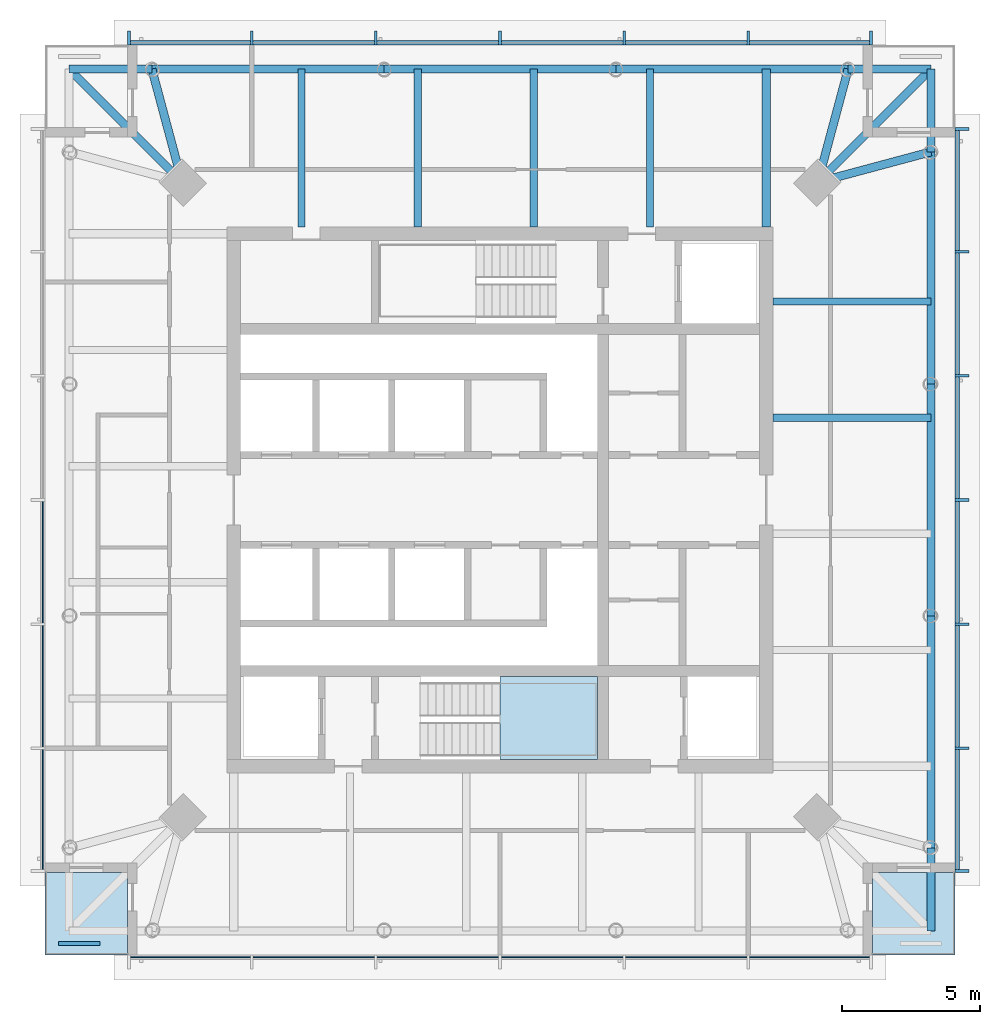
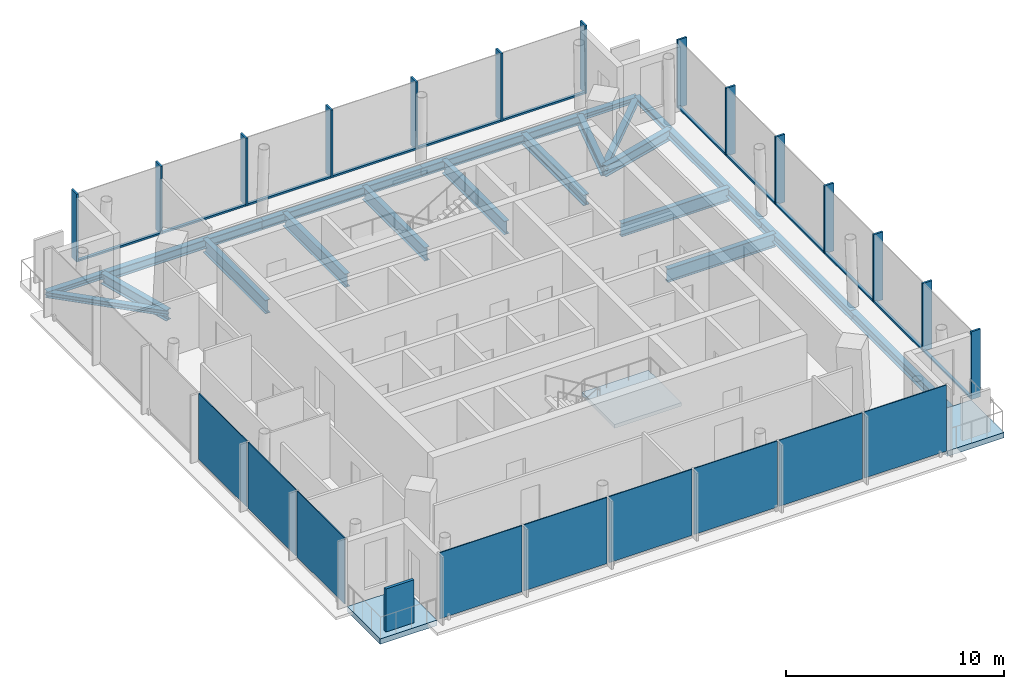
# One storey, part 2 of 8: 26 members, 22 beams, 10 plates, 3 slabs, 5 elements without a shape of their own.
"""IFC4 building model written with IfcOpenShell, lengths in metres."""

from ifc_helpers import new_model, si_unit, direction, frame, origin, origin_2d, place, context, subcontext, project, spatial, polyline, rectangle, i_section, outline, extrude, material, layer, layer_set, material_profile, profile_set, type_object, element, aggregate, save


model = new_model("IFC4")

# Units and contexts
model_context = context("Model", 3, precision=1e-05, world=origin(), true_north=direction((0.0, 1.0)))
body_context = subcontext(model_context, "Body", "Model", "MODEL_VIEW")
ifc_project = project(units=[si_unit("LENGTHUNIT", "METRE"), si_unit("AREAUNIT", "SQUARE_METRE"), si_unit("VOLUMEUNIT", "CUBIC_METRE"), si_unit("PLANEANGLEUNIT", "RADIAN"), si_unit("MASSUNIT", "GRAM", prefix="KILO")], contexts=[model_context])

# Site, building, storey
site_placement = place(None, origin())
site = spatial("IfcSite", under=ifc_project, at=site_placement, CompositionType="ELEMENT")
building_placement = place(site_placement, origin())
building = spatial("IfcBuilding", under=site, at=building_placement, Name="Ostroluk Exchange", CompositionType="ELEMENT")
storey_placement = place(building_placement, frame((0.0, 0.0, 283.199951171875)))
storey = spatial("IfcBuildingStorey", under=building, at=storey_placement, Name="L73", CompositionType="ELEMENT", Elevation=283.199951171875)

# Beams
ifc_material_1 = material(Name="Steel S355", Category="steel")
ifc_material_profile_1 = material_profile(ifc_material_1, i_section(OverallWidth=0.300048828125, OverallDepth=0.300048828125, WebThickness=0.010986328125, FlangeThickness=0.01904296875, FilletRadius=0.027099609375, at=origin_2d()), Name="HEB 300")
ifc_profile_set_1 = profile_set([ifc_material_profile_1], Name="Steel S355")
beam_type_1 = type_object("IfcBeamType", Name="Balcony beam HEB 300", PredefinedType="BEAM", material=ifc_profile_set_1)
for number, where, z_axis, x_axis, name in (
    (1, (60.621337890625, 58.621337890625, -0.449951171875), (0.0, 1.0, 0.0), (-1.0, 0.0, 0.0), "T1 east balcony beam a"),
    (2, (57.621337890625, 61.621337890625, -0.449951171875), (1.0, 0.0, 0.0), (0.0, 1.0, 0.0), "T1 east balcony beam b"),
):
    element("IfcBeam", number, at=place(storey_placement, frame(where, z_axis=z_axis, x_axis=x_axis)), inside=storey, type_object=beam_type_1, Name=name, PredefinedType="BEAM", context=body_context, shape_type="SweptSolid", body=[
        extrude(i_section(OverallWidth=0.300048828125, OverallDepth=0.300048828125, WebThickness=0.010986328125, FlangeThickness=0.01904296875, FilletRadius=0.027099609375, at=origin_2d()), origin(), (0.0, 0.0, 1.0), 3.0),
    ])
beam_1_placement = place(storey_placement, frame((56.521484375, 57.521484375, -0.449951171875), z_axis=(0.707106781187, 0.707106781187, 0.0), x_axis=(-0.707106781187, 0.707106781187, 0.0)))
element("IfcBeam", 3, at=beam_1_placement, inside=storey, type_object=beam_type_1, Name="T1 east balcony beam c", PredefinedType="BEAM", context=body_context, shape_type="SweptSolid", body=[
    extrude(i_section(OverallWidth=0.300048828125, OverallDepth=0.300048828125, WebThickness=0.010986328125, FlangeThickness=0.01904296875, FilletRadius=0.027099609375, at=origin_2d()), origin(), (0.0, 0.0, 1.0), 5.798095703125),
])
beam_2_placement = place(storey_placement, frame((32.378662109375, 61.621337890625, -0.449951171875), z_axis=(-1.0, 0.0, 0.0), x_axis=(0.0, -1.0, 0.0)))
element("IfcBeam", 4, at=beam_2_placement, inside=storey, type_object=beam_type_1, Name="T1 north balcony beam a", PredefinedType="BEAM", context=body_context, shape_type="SweptSolid", body=[
    extrude(i_section(OverallWidth=0.300048828125, OverallDepth=0.300048828125, WebThickness=0.010986328125, FlangeThickness=0.01904296875, FilletRadius=0.027099609375, at=origin_2d()), origin(), (0.0, 0.0, 1.0), 3.0),
])
beam_3_placement = place(storey_placement, frame((33.478515625, 57.521484375, -0.449951171875), z_axis=(-0.707106781187, 0.707106781187, 0.0), x_axis=(-0.707106781187, -0.707106781187, 0.0)))
element("IfcBeam", 5, at=beam_3_placement, inside=storey, type_object=beam_type_1, Name="T1 north balcony beam c", PredefinedType="BEAM", context=body_context, shape_type="SweptSolid", body=[
    extrude(i_section(OverallWidth=0.300048828125, OverallDepth=0.300048828125, WebThickness=0.010986328125, FlangeThickness=0.01904296875, FilletRadius=0.027099609375, at=origin_2d()), origin(), (0.0, 0.0, 1.0), 5.798095703125),
])
beam_4_placement = place(storey_placement, frame((60.621337890625, 33.378662109375, -0.449951171875), z_axis=(0.0, -1.0, 0.0), x_axis=(1.0, 0.0, 0.0)))
element("IfcBeam", 6, at=beam_4_placement, inside=storey, type_object=beam_type_1, Name="T1 south balcony beam b", PredefinedType="BEAM", context=body_context, shape_type="SweptSolid", body=[
    extrude(i_section(OverallWidth=0.300048828125, OverallDepth=0.300048828125, WebThickness=0.010986328125, FlangeThickness=0.01904296875, FilletRadius=0.027099609375, at=origin_2d()), origin(), (0.0, 0.0, 1.0), 3.0),
])
ifc_material_2 = material(Name="Steel S355", Category="steel")
ifc_material_profile_2 = material_profile(ifc_material_2, i_section(OverallWidth=0.300048828125, OverallDepth=0.60009765625, WebThickness=0.015380859375, FlangeThickness=0.030029296875, FilletRadius=0.027099609375, at=origin_2d()), Name="HEB 600")
ifc_profile_set_2 = profile_set([ifc_material_profile_2], Name="Steel S355")
beam_type_2 = type_object("IfcBeamType", Name="Corner edge beam HEB 600", PredefinedType="SPANDREL", material=ifc_profile_set_2)
for number, where, z_axis, x_axis, name in (
    (7, (56.521484375, 57.521484375, -0.599853515625), (0.965849156574, 0.259105011038, 0.0), (-0.259105011038, 0.965849156574, 0.0), "T1 east corner edge beam a"),
    (8, (56.521484375, 57.521484375, -0.599853515625), (0.259105011038, 0.965849156574, 0.0), (-0.965849156574, 0.259105011038, 0.0), "T1 east corner edge beam b"),
    (9, (33.478515625, 57.521484375, -0.599853515625), (-0.259105011038, 0.965849156574, 0.0), (-0.965849156574, -0.259105011038, 0.0), "T1 north corner edge beam a"),
):
    element("IfcBeam", number, at=place(storey_placement, frame(where, z_axis=z_axis, x_axis=x_axis)), inside=storey, type_object=beam_type_2, Name=name, PredefinedType="SPANDREL", context=body_context, shape_type="SweptSolid", body=[
        extrude(i_section(OverallWidth=0.300048828125, OverallDepth=0.60009765625, WebThickness=0.015380859375, FlangeThickness=0.030029296875, FilletRadius=0.027099609375, at=origin_2d()), origin(), (0.0, 0.0, 1.0), 4.244873046875),
    ])
ifc_material_3 = material(Name="Steel S355", Category="steel")
ifc_material_profile_3 = material_profile(ifc_material_3, i_section(OverallWidth=0.264892578125, OverallDepth=0.7529296875, WebThickness=0.01318359375, FlangeThickness=0.01708984375, FilletRadius=0.01708984375, at=origin_2d()), Name="IPE 750x147")
ifc_profile_set_3 = profile_set([ifc_material_profile_3], Name="Steel S355")
beam_type_3 = type_object("IfcBeamType", Name="Floor beam IPE 750x147", PredefinedType="BEAM", material=ifc_profile_set_3)
for number, where, z_axis, x_axis, name in (
    (10, (54.89990234375, 48.985595703125, -0.676513671875), (1.0, 0.0, 0.0), (0.0, 1.0, 0.0), "T1 east floor beam 3"),
    (11, (54.89990234375, 53.197509765625, -0.676513671875), (1.0, 0.0, 0.0), (0.0, 1.0, 0.0), "T1 east floor beam 4"),
    (12, (50.43798828125, 55.89990234375, -0.676513671875), (0.0, 1.0, 0.0), (-1.0, 0.0, 0.0), "T1 north floor beam 1"),
    (13, (46.22607421875, 55.89990234375, -0.676513671875), (0.0, 1.0, 0.0), (-1.0, 0.0, 0.0), "T1 north floor beam 2"),
    (14, (42.014404296875, 55.89990234375, -0.676513671875), (0.0, 1.0, 0.0), (-1.0, 0.0, 0.0), "T1 north floor beam 3"),
    (15, (37.802490234375, 55.89990234375, -0.676513671875), (0.0, 1.0, 0.0), (-1.0, 0.0, 0.0), "T1 north floor beam 4"),
):
    element("IfcBeam", number, at=place(storey_placement, frame(where, z_axis=z_axis, x_axis=x_axis)), inside=storey, type_object=beam_type_3, Name=name, PredefinedType="BEAM", context=body_context, shape_type="SweptSolid", body=[
        extrude(i_section(OverallWidth=0.264892578125, OverallDepth=0.7529296875, WebThickness=0.01318359375, FlangeThickness=0.01708984375, FilletRadius=0.01708984375, at=origin_2d()), origin(), (0.0, 0.0, 1.0), 5.721435546875),
    ])
ifc_material_4 = material(Name="Steel S355", Category="steel")
ifc_material_profile_4 = material_profile(ifc_material_4, i_section(OverallWidth=0.300048828125, OverallDepth=0.60009765625, WebThickness=0.015380859375, FlangeThickness=0.030029296875, FilletRadius=0.027099609375, at=origin_2d()), Name="HEB 600")
ifc_profile_set_4 = profile_set([ifc_material_profile_4], Name="Steel S355")
beam_type_4 = type_object("IfcBeamType", Name="Girder HEB 600", PredefinedType="BEAM", material=ifc_profile_set_4)
beam_5_placement = place(storey_placement, frame((54.64990234375, 55.89990234375, -0.599853515625), z_axis=(0.0, 1.0, 0.0), x_axis=(-1.0, 0.0, 0.0)))
element("IfcBeam", 16, at=beam_5_placement, inside=storey, type_object=beam_type_4, Name="T1 east girder", PredefinedType="BEAM", context=body_context, shape_type="SweptSolid", body=[
    extrude(i_section(OverallWidth=0.300048828125, OverallDepth=0.60009765625, WebThickness=0.015380859375, FlangeThickness=0.030029296875, FilletRadius=0.027099609375, at=origin_2d()), origin(), (0.0, 0.0, 1.0), 5.721435546875),
])
ifc_material_5 = material(Name="Steel S355", Category="steel")
ifc_material_profile_5 = material_profile(ifc_material_5, i_section(OverallWidth=0.300048828125, OverallDepth=0.5, WebThickness=0.014404296875, FlangeThickness=0.028076171875, FilletRadius=0.027099609375, at=origin_2d()), Name="HEB 500")
ifc_profile_set_5 = profile_set([ifc_material_profile_5], Name="Steel S355")
beam_type_5 = type_object("IfcBeamType", Name="Moment-connected edge beam HEB 500", PredefinedType="SPANDREL", material=ifc_profile_set_5)
beam_6_placement = place(storey_placement, frame((60.621337890625, 33.378662109375, -0.550048828125), z_axis=(0.0, 1.0, 0.0), x_axis=(-1.0, 0.0, 0.0)))
element("IfcBeam", 17, at=beam_6_placement, inside=storey, type_object=beam_type_5, Name="T1 east edge beam 1", PredefinedType="SPANDREL", context=body_context, shape_type="SweptSolid", body=[
    extrude(i_section(OverallWidth=0.300048828125, OverallDepth=0.5, WebThickness=0.014404296875, FlangeThickness=0.028076171875, FilletRadius=0.027099609375, at=origin_2d()), origin(), (0.0, 0.0, 1.0), 8.414306640625),
])
beam_7_placement = place(storey_placement, frame((60.621337890625, 41.79296875, -0.550048828125), z_axis=(0.0, 1.0, 0.0), x_axis=(-1.0, 0.0, 0.0)))
element("IfcBeam", 18, at=beam_7_placement, inside=storey, type_object=beam_type_5, Name="T1 east edge beam 2", PredefinedType="SPANDREL", context=body_context, shape_type="SweptSolid", body=[
    extrude(i_section(OverallWidth=0.300048828125, OverallDepth=0.5, WebThickness=0.014404296875, FlangeThickness=0.028076171875, FilletRadius=0.027099609375, at=origin_2d()), origin(), (0.0, 0.0, 1.0), 8.4140625),
])
for number, where, z_axis, x_axis, name in (
    (19, (60.621337890625, 50.20703125, -0.550048828125), (0.0, 1.0, 0.0), (-1.0, 0.0, 0.0), "T1 east edge beam 3"),
    (20, (57.621337890625, 61.621337890625, -0.550048828125), (-1.0, 0.0, 0.0), (0.0, -1.0, 0.0), "T1 north edge beam 1"),
):
    element("IfcBeam", number, at=place(storey_placement, frame(where, z_axis=z_axis, x_axis=x_axis)), inside=storey, type_object=beam_type_5, Name=name, PredefinedType="SPANDREL", context=body_context, shape_type="SweptSolid", body=[
        extrude(i_section(OverallWidth=0.300048828125, OverallDepth=0.5, WebThickness=0.014404296875, FlangeThickness=0.028076171875, FilletRadius=0.027099609375, at=origin_2d()), origin(), (0.0, 0.0, 1.0), 8.414306640625),
    ])
beam_8_placement = place(storey_placement, frame((49.20703125, 61.621337890625, -0.550048828125), z_axis=(-1.0, 0.0, 0.0), x_axis=(0.0, -1.0, 0.0)))
element("IfcBeam", 21, at=beam_8_placement, inside=storey, type_object=beam_type_5, Name="T1 north edge beam 2", PredefinedType="SPANDREL", context=body_context, shape_type="SweptSolid", body=[
    extrude(i_section(OverallWidth=0.300048828125, OverallDepth=0.5, WebThickness=0.014404296875, FlangeThickness=0.028076171875, FilletRadius=0.027099609375, at=origin_2d()), origin(), (0.0, 0.0, 1.0), 8.4140625),
])
beam_9_placement = place(storey_placement, frame((40.79296875, 61.621337890625, -0.550048828125), z_axis=(-1.0, 0.0, 0.0), x_axis=(0.0, -1.0, 0.0)))
element("IfcBeam", 22, at=beam_9_placement, inside=storey, type_object=beam_type_5, Name="T1 north edge beam 3", PredefinedType="SPANDREL", context=body_context, shape_type="SweptSolid", body=[
    extrude(i_section(OverallWidth=0.300048828125, OverallDepth=0.5, WebThickness=0.014404296875, FlangeThickness=0.028076171875, FilletRadius=0.027099609375, at=origin_2d()), origin(), (0.0, 0.0, 1.0), 8.414306640625),
])

# Curtain wall, members
ifc_material_6 = material(Name="Laminated clear glass", Category="glass")
curtain_wall_type = type_object("IfcCurtainWallType", Name="Sky garden and observation glazing", PredefinedType="USERDEFINED", material=ifc_material_6)
curtain_wall_1_placement = place(storey_placement, origin())
curtain_wall_1 = element("IfcCurtainWall", 23, at=curtain_wall_1_placement, inside=storey, type_object=curtain_wall_type, Name="Office tower east facade L73", ObjectType="STRUCTURAL GLAZING", PredefinedType="USERDEFINED")
ifc_material_7 = material(Name="Aluminium mullion", Category="aluminium")
ifc_material_profile_6 = material_profile(ifc_material_7, rectangle(XDim=0.14990234375, YDim=0.10009765625, at=origin_2d()), Name="Sill transom 100 x 150")
ifc_profile_set_6 = profile_set([ifc_material_profile_6], Name="Aluminium mullion")
member_type_1 = type_object("IfcMemberType", Name="Sill transom 100 x 150", PredefinedType="USERDEFINED", material=ifc_profile_set_6)
member_1_placement = place(storey_placement, frame((61.574951171875, 32.60009765625, 0.050048828125), z_axis=(0.0, 1.0, 0.0), x_axis=(-1.0, 0.0, 0.0)))
member_1 = element("IfcMember", 24, at=member_1_placement, type_object=member_type_1, Name="CW-S1 transom 1.1", ObjectType="TRANSOM", PredefinedType="USERDEFINED", context=body_context, shape_type="SweptSolid", body=[
    extrude(rectangle(XDim=0.14990234375, YDim=0.10009765625, at=origin_2d()), origin(), (0.0, 0.0, 1.0), 4.349853515625),
])
member_2_placement = place(storey_placement, frame((61.574951171875, 37.050048828125, 0.050048828125), z_axis=(0.0, 1.0, 0.0), x_axis=(-1.0, 0.0, 0.0)))
member_2 = element("IfcMember", 25, at=member_2_placement, type_object=member_type_1, Name="CW-S1 transom 2.1", ObjectType="TRANSOM", PredefinedType="USERDEFINED", context=body_context, shape_type="SweptSolid", body=[
    extrude(rectangle(XDim=0.14990234375, YDim=0.10009765625, at=origin_2d()), origin(), (0.0, 0.0, 1.0), 4.39990234375),
])
member_3_placement = place(storey_placement, frame((61.574951171875, 41.550048828125, 0.050048828125), z_axis=(0.0, 1.0, 0.0), x_axis=(-1.0, 0.0, 0.0)))
member_3 = element("IfcMember", 26, at=member_3_placement, type_object=member_type_1, Name="CW-S1 transom 3.1", ObjectType="TRANSOM", PredefinedType="USERDEFINED", context=body_context, shape_type="SweptSolid", body=[
    extrude(rectangle(XDim=0.14990234375, YDim=0.10009765625, at=origin_2d()), origin(), (0.0, 0.0, 1.0), 4.39990234375),
])
member_4_placement = place(storey_placement, frame((61.574951171875, 46.050048828125, 0.050048828125), z_axis=(0.0, 1.0, 0.0), x_axis=(-1.0, 0.0, 0.0)))
member_4 = element("IfcMember", 27, at=member_4_placement, type_object=member_type_1, Name="CW-S1 transom 4.1", ObjectType="TRANSOM", PredefinedType="USERDEFINED", context=body_context, shape_type="SweptSolid", body=[
    extrude(rectangle(XDim=0.14990234375, YDim=0.10009765625, at=origin_2d()), origin(), (0.0, 0.0, 1.0), 4.39990234375),
])
member_5_placement = place(storey_placement, frame((61.574951171875, 50.550048828125, 0.050048828125), z_axis=(0.0, 1.0, 0.0), x_axis=(-1.0, 0.0, 0.0)))
member_5 = element("IfcMember", 28, at=member_5_placement, type_object=member_type_1, Name="CW-S1 transom 5.1", ObjectType="TRANSOM", PredefinedType="USERDEFINED", context=body_context, shape_type="SweptSolid", body=[
    extrude(rectangle(XDim=0.14990234375, YDim=0.10009765625, at=origin_2d()), origin(), (0.0, 0.0, 1.0), 4.39990234375),
])
member_6_placement = place(storey_placement, frame((61.574951171875, 55.050048828125, 0.050048828125), z_axis=(0.0, 1.0, 0.0), x_axis=(-1.0, 0.0, 0.0)))
member_6 = element("IfcMember", 29, at=member_6_placement, type_object=member_type_1, Name="CW-S1 transom 6.1", ObjectType="TRANSOM", PredefinedType="USERDEFINED", context=body_context, shape_type="SweptSolid", body=[
    extrude(rectangle(XDim=0.14990234375, YDim=0.10009765625, at=origin_2d()), origin(), (0.0, 0.0, 1.0), 4.349853515625),
])

curtain_wall_2_placement = place(storey_placement, origin())
curtain_wall_2 = element("IfcCurtainWall", 30, at=curtain_wall_2_placement, inside=storey, type_object=curtain_wall_type, Name="Office tower north facade L73", ObjectType="STRUCTURAL GLAZING", PredefinedType="USERDEFINED")
member_7_placement = place(storey_placement, frame((58.39990234375, 62.574951171875, 0.050048828125), z_axis=(-1.0, 0.0, 0.0), x_axis=(0.0, -1.0, 0.0)))
member_7 = element("IfcMember", 31, at=member_7_placement, type_object=member_type_1, Name="CW-S1 transom 1.1", ObjectType="TRANSOM", PredefinedType="USERDEFINED", context=body_context, shape_type="SweptSolid", body=[
    extrude(rectangle(XDim=0.14990234375, YDim=0.10009765625, at=origin_2d()), origin(), (0.0, 0.0, 1.0), 4.349853515625),
])
member_8_placement = place(storey_placement, frame((53.949951171875, 62.574951171875, 0.050048828125), z_axis=(-1.0, 0.0, 0.0), x_axis=(0.0, -1.0, 0.0)))
member_8 = element("IfcMember", 32, at=member_8_placement, type_object=member_type_1, Name="CW-S1 transom 2.1", ObjectType="TRANSOM", PredefinedType="USERDEFINED", context=body_context, shape_type="SweptSolid", body=[
    extrude(rectangle(XDim=0.14990234375, YDim=0.10009765625, at=origin_2d()), origin(), (0.0, 0.0, 1.0), 4.39990234375),
])
member_9_placement = place(storey_placement, frame((49.449951171875, 62.574951171875, 0.050048828125), z_axis=(-1.0, 0.0, 0.0), x_axis=(0.0, -1.0, 0.0)))
member_9 = element("IfcMember", 33, at=member_9_placement, type_object=member_type_1, Name="CW-S1 transom 3.1", ObjectType="TRANSOM", PredefinedType="USERDEFINED", context=body_context, shape_type="SweptSolid", body=[
    extrude(rectangle(XDim=0.14990234375, YDim=0.10009765625, at=origin_2d()), origin(), (0.0, 0.0, 1.0), 4.39990234375),
])
member_10_placement = place(storey_placement, frame((44.949951171875, 62.574951171875, 0.050048828125), z_axis=(-1.0, 0.0, 0.0), x_axis=(0.0, -1.0, 0.0)))
member_10 = element("IfcMember", 34, at=member_10_placement, type_object=member_type_1, Name="CW-S1 transom 4.1", ObjectType="TRANSOM", PredefinedType="USERDEFINED", context=body_context, shape_type="SweptSolid", body=[
    extrude(rectangle(XDim=0.14990234375, YDim=0.10009765625, at=origin_2d()), origin(), (0.0, 0.0, 1.0), 4.39990234375),
])
member_11_placement = place(storey_placement, frame((40.449951171875, 62.574951171875, 0.050048828125), z_axis=(-1.0, 0.0, 0.0), x_axis=(0.0, -1.0, 0.0)))
member_11 = element("IfcMember", 35, at=member_11_placement, type_object=member_type_1, Name="CW-S1 transom 5.1", ObjectType="TRANSOM", PredefinedType="USERDEFINED", context=body_context, shape_type="SweptSolid", body=[
    extrude(rectangle(XDim=0.14990234375, YDim=0.10009765625, at=origin_2d()), origin(), (0.0, 0.0, 1.0), 4.39990234375),
])
member_12_placement = place(storey_placement, frame((35.949951171875, 62.574951171875, 0.050048828125), z_axis=(-1.0, 0.0, 0.0), x_axis=(0.0, -1.0, 0.0)))
member_12 = element("IfcMember", 36, at=member_12_placement, type_object=member_type_1, Name="CW-S1 transom 6.1", ObjectType="TRANSOM", PredefinedType="USERDEFINED", context=body_context, shape_type="SweptSolid", body=[
    extrude(rectangle(XDim=0.14990234375, YDim=0.10009765625, at=origin_2d()), origin(), (0.0, 0.0, 1.0), 4.349853515625),
])

# Member
ifc_material_8 = material(Name="Aluminium mullion with limestone facing", Category="masonry")
ifc_material_profile_7 = material_profile(ifc_material_8, rectangle(XDim=0.5, YDim=0.10009765625, at=origin_2d()), Name="Tracery mullion 100 x 500")
ifc_profile_set_7 = profile_set([ifc_material_profile_7], Name="Aluminium mullion with limestone facing")
member_type_2 = type_object("IfcMemberType", Name="Tracery mullion 100 x 500", PredefinedType="MULLION", material=ifc_profile_set_7)
member_13_placement = place(storey_placement, frame((61.75, 32.550048828125, 0.0), z_axis=(0.0, 0.0, 1.0), x_axis=(-1.0, 0.0, 0.0)))
member_13 = element("IfcMember", 37, at=member_13_placement, type_object=member_type_2, Name="CW-S1 mullion 1", PredefinedType="MULLION", context=body_context, shape_type="SweptSolid", body=[
    extrude(rectangle(XDim=0.5, YDim=0.10009765625, at=origin_2d()), origin(), (0.0, 0.0, 1.0), 3.800048828125),
])

member_14_placement = place(storey_placement, frame((61.75, 37.0, 0.0), z_axis=(0.0, 0.0, 1.0), x_axis=(-1.0, 0.0, 0.0)))
member_14 = element("IfcMember", 38, at=member_14_placement, type_object=member_type_2, Name="CW-S1 mullion 2", PredefinedType="MULLION", context=body_context, shape_type="SweptSolid", body=[
    extrude(rectangle(XDim=0.5, YDim=0.10009765625, at=origin_2d()), origin(), (0.0, 0.0, 1.0), 3.800048828125),
])

member_15_placement = place(storey_placement, frame((61.75, 41.5, 0.0), z_axis=(0.0, 0.0, 1.0), x_axis=(-1.0, 0.0, 0.0)))
member_15 = element("IfcMember", 39, at=member_15_placement, type_object=member_type_2, Name="CW-S1 mullion 3", PredefinedType="MULLION", context=body_context, shape_type="SweptSolid", body=[
    extrude(rectangle(XDim=0.5, YDim=0.10009765625, at=origin_2d()), origin(), (0.0, 0.0, 1.0), 3.800048828125),
])

member_16_placement = place(storey_placement, frame((61.75, 46.0, 0.0), z_axis=(0.0, 0.0, 1.0), x_axis=(-1.0, 0.0, 0.0)))
member_16 = element("IfcMember", 40, at=member_16_placement, type_object=member_type_2, Name="CW-S1 mullion 4", PredefinedType="MULLION", context=body_context, shape_type="SweptSolid", body=[
    extrude(rectangle(XDim=0.5, YDim=0.10009765625, at=origin_2d()), origin(), (0.0, 0.0, 1.0), 3.800048828125),
])

member_17_placement = place(storey_placement, frame((61.75, 50.5, 0.0), z_axis=(0.0, 0.0, 1.0), x_axis=(-1.0, 0.0, 0.0)))
member_17 = element("IfcMember", 41, at=member_17_placement, type_object=member_type_2, Name="CW-S1 mullion 5", PredefinedType="MULLION", context=body_context, shape_type="SweptSolid", body=[
    extrude(rectangle(XDim=0.5, YDim=0.10009765625, at=origin_2d()), origin(), (0.0, 0.0, 1.0), 3.800048828125),
])

member_18_placement = place(storey_placement, frame((61.75, 55.0, 0.0), z_axis=(0.0, 0.0, 1.0), x_axis=(-1.0, 0.0, 0.0)))
member_18 = element("IfcMember", 42, at=member_18_placement, type_object=member_type_2, Name="CW-S1 mullion 6", PredefinedType="MULLION", context=body_context, shape_type="SweptSolid", body=[
    extrude(rectangle(XDim=0.5, YDim=0.10009765625, at=origin_2d()), origin(), (0.0, 0.0, 1.0), 3.800048828125),
])

member_19_placement = place(storey_placement, frame((61.75, 59.449951171875, 0.0), z_axis=(0.0, 0.0, 1.0), x_axis=(-1.0, 0.0, 0.0)))
member_19 = element("IfcMember", 43, at=member_19_placement, type_object=member_type_2, Name="CW-S1 mullion 7", PredefinedType="MULLION", context=body_context, shape_type="SweptSolid", body=[
    extrude(rectangle(XDim=0.5, YDim=0.10009765625, at=origin_2d()), origin(), (0.0, 0.0, 1.0), 3.800048828125),
])

aggregate(curtain_wall_1, [member_13, member_14, member_15, member_16, member_17, member_18, member_19, member_1, member_2, member_3, member_4, member_5, member_6])

member_20_placement = place(storey_placement, frame((58.449951171875, 62.75, 0.0), z_axis=(0.0, 0.0, 1.0), x_axis=(0.0, -1.0, 0.0)))
member_20 = element("IfcMember", 44, at=member_20_placement, type_object=member_type_2, Name="CW-S1 mullion 1", PredefinedType="MULLION", context=body_context, shape_type="SweptSolid", body=[
    extrude(rectangle(XDim=0.5, YDim=0.10009765625, at=origin_2d()), origin(), (0.0, 0.0, 1.0), 3.800048828125),
])

member_21_placement = place(storey_placement, frame((54.0, 62.75, 0.0), z_axis=(0.0, 0.0, 1.0), x_axis=(0.0, -1.0, 0.0)))
member_21 = element("IfcMember", 45, at=member_21_placement, type_object=member_type_2, Name="CW-S1 mullion 2", PredefinedType="MULLION", context=body_context, shape_type="SweptSolid", body=[
    extrude(rectangle(XDim=0.5, YDim=0.10009765625, at=origin_2d()), origin(), (0.0, 0.0, 1.0), 3.800048828125),
])

member_22_placement = place(storey_placement, frame((49.5, 62.75, 0.0), z_axis=(0.0, 0.0, 1.0), x_axis=(0.0, -1.0, 0.0)))
member_22 = element("IfcMember", 46, at=member_22_placement, type_object=member_type_2, Name="CW-S1 mullion 3", PredefinedType="MULLION", context=body_context, shape_type="SweptSolid", body=[
    extrude(rectangle(XDim=0.5, YDim=0.10009765625, at=origin_2d()), origin(), (0.0, 0.0, 1.0), 3.800048828125),
])

member_23_placement = place(storey_placement, frame((45.0, 62.75, 0.0), z_axis=(0.0, 0.0, 1.0), x_axis=(0.0, -1.0, 0.0)))
member_23 = element("IfcMember", 47, at=member_23_placement, type_object=member_type_2, Name="CW-S1 mullion 4", PredefinedType="MULLION", context=body_context, shape_type="SweptSolid", body=[
    extrude(rectangle(XDim=0.5, YDim=0.10009765625, at=origin_2d()), origin(), (0.0, 0.0, 1.0), 3.800048828125),
])

member_24_placement = place(storey_placement, frame((40.5, 62.75, 0.0), z_axis=(0.0, 0.0, 1.0), x_axis=(0.0, -1.0, 0.0)))
member_24 = element("IfcMember", 48, at=member_24_placement, type_object=member_type_2, Name="CW-S1 mullion 5", PredefinedType="MULLION", context=body_context, shape_type="SweptSolid", body=[
    extrude(rectangle(XDim=0.5, YDim=0.10009765625, at=origin_2d()), origin(), (0.0, 0.0, 1.0), 3.800048828125),
])

member_25_placement = place(storey_placement, frame((36.0, 62.75, 0.0), z_axis=(0.0, 0.0, 1.0), x_axis=(0.0, -1.0, 0.0)))
member_25 = element("IfcMember", 49, at=member_25_placement, type_object=member_type_2, Name="CW-S1 mullion 6", PredefinedType="MULLION", context=body_context, shape_type="SweptSolid", body=[
    extrude(rectangle(XDim=0.5, YDim=0.10009765625, at=origin_2d()), origin(), (0.0, 0.0, 1.0), 3.800048828125),
])

member_26_placement = place(storey_placement, frame((31.550048828125, 62.75, 0.0), z_axis=(0.0, 0.0, 1.0), x_axis=(0.0, -1.0, 0.0)))
member_26 = element("IfcMember", 50, at=member_26_placement, type_object=member_type_2, Name="CW-S1 mullion 7", PredefinedType="MULLION", context=body_context, shape_type="SweptSolid", body=[
    extrude(rectangle(XDim=0.5, YDim=0.10009765625, at=origin_2d()), origin(), (0.0, 0.0, 1.0), 3.800048828125),
])

aggregate(curtain_wall_2, [member_20, member_21, member_22, member_23, member_24, member_25, member_26, member_7, member_8, member_9, member_10, member_11, member_12])

# Slabs
ifc_material_9 = material(Name="Concrete C35/45", Category="concrete")
ifc_layer_1 = layer(ifc_material_9, 0.300048828125)
ifc_layer_set_1 = layer_set([ifc_layer_1], Name="Balcony slab 300")
slab_type_1 = type_object("IfcSlabType", Name="Balcony slab 300", PredefinedType="USERDEFINED", material=ifc_layer_set_1)
slab_1_placement = place(storey_placement, frame((0.0, 0.0, -0.300048828125)))
element("IfcSlab", 51, at=slab_1_placement, inside=storey, type_object=slab_type_1, Name="Office tower SE corner balcony L73", ObjectType="BALCONY", PredefinedType="USERDEFINED", context=body_context, shape_type="SweptSolid", body=[
    extrude(outline(polyline([(58.5, 29.5), (61.5, 29.5), (61.5, 32.5), (58.5, 32.5), (58.5, 29.5)])), origin(), (0.0, 0.0, 1.0), 0.300048828125),
])
slab_2_placement = place(storey_placement, frame((0.0, 0.0, -0.300048828125)))
element("IfcSlab", 52, at=slab_2_placement, inside=storey, type_object=slab_type_1, Name="Office tower SW corner balcony L73", ObjectType="BALCONY", PredefinedType="USERDEFINED", context=body_context, shape_type="SweptSolid", body=[
    extrude(outline(polyline([(28.5, 29.5), (31.5, 29.5), (31.5, 32.5), (28.5, 32.5), (28.5, 29.5)])), origin(), (0.0, 0.0, 1.0), 0.300048828125),
])

# Curtain wall, plates
curtain_wall_3_placement = place(storey_placement, origin())
curtain_wall_3 = element("IfcCurtainWall", 53, at=curtain_wall_3_placement, inside=storey, type_object=curtain_wall_type, Name="Office tower south facade L73", ObjectType="STRUCTURAL GLAZING", PredefinedType="USERDEFINED")
ifc_material_10 = material(Name="Laminated clear glass", Category="glass")
ifc_layer_2 = layer(ifc_material_10, 0.052001953125)
ifc_layer_set_2 = layer_set([ifc_layer_2], Name="Low iron laminated glazing 52")
plate_type_1 = type_object("IfcPlateType", Name="Low iron laminated glazing 52", PredefinedType="CURTAIN_PANEL", material=ifc_layer_set_2)
plate_1_placement = place(storey_placement, frame((33.77490234375, 29.425048828125, 0.10009765625), z_axis=(0.0, 0.0, 1.0), x_axis=(1.0, 0.0, 0.0)))
plate_1 = element("IfcPlate", 54, at=plate_1_placement, type_object=plate_type_1, Name="CW-S1 panel 1.1", PredefinedType="CURTAIN_PANEL", context=body_context, shape_type="SweptSolid", body=[
    extrude(rectangle(XDim=4.35009765625, YDim=0.052001953125, at=origin_2d()), origin(), (0.0, 0.0, 1.0), 3.699951171875),
])
plate_2_placement = place(storey_placement, frame((38.25, 29.425048828125, 0.10009765625), z_axis=(0.0, 0.0, 1.0), x_axis=(1.0, 0.0, 0.0)))
plate_2 = element("IfcPlate", 55, at=plate_2_placement, type_object=plate_type_1, Name="CW-S1 panel 2.1", PredefinedType="CURTAIN_PANEL", context=body_context, shape_type="SweptSolid", body=[
    extrude(rectangle(XDim=4.39990234375, YDim=0.052001953125, at=origin_2d()), origin(), (0.0, 0.0, 1.0), 3.699951171875),
])
plate_3_placement = place(storey_placement, frame((42.75, 29.425048828125, 0.10009765625), z_axis=(0.0, 0.0, 1.0), x_axis=(1.0, 0.0, 0.0)))
plate_3 = element("IfcPlate", 56, at=plate_3_placement, type_object=plate_type_1, Name="CW-S1 panel 3.1", PredefinedType="CURTAIN_PANEL", context=body_context, shape_type="SweptSolid", body=[
    extrude(rectangle(XDim=4.39990234375, YDim=0.052001953125, at=origin_2d()), origin(), (0.0, 0.0, 1.0), 3.699951171875),
])
plate_4_placement = place(storey_placement, frame((47.25, 29.425048828125, 0.10009765625), z_axis=(0.0, 0.0, 1.0), x_axis=(1.0, 0.0, 0.0)))
plate_4 = element("IfcPlate", 57, at=plate_4_placement, type_object=plate_type_1, Name="CW-S1 panel 4.1", PredefinedType="CURTAIN_PANEL", context=body_context, shape_type="SweptSolid", body=[
    extrude(rectangle(XDim=4.39990234375, YDim=0.052001953125, at=origin_2d()), origin(), (0.0, 0.0, 1.0), 3.699951171875),
])
plate_5_placement = place(storey_placement, frame((51.75, 29.425048828125, 0.10009765625), z_axis=(0.0, 0.0, 1.0), x_axis=(1.0, 0.0, 0.0)))
plate_5 = element("IfcPlate", 58, at=plate_5_placement, type_object=plate_type_1, Name="CW-S1 panel 5.1", PredefinedType="CURTAIN_PANEL", context=body_context, shape_type="SweptSolid", body=[
    extrude(rectangle(XDim=4.39990234375, YDim=0.052001953125, at=origin_2d()), origin(), (0.0, 0.0, 1.0), 3.699951171875),
])
plate_6_placement = place(storey_placement, frame((56.22509765625, 29.425048828125, 0.10009765625), z_axis=(0.0, 0.0, 1.0), x_axis=(1.0, 0.0, 0.0)))
plate_6 = element("IfcPlate", 59, at=plate_6_placement, type_object=plate_type_1, Name="CW-S1 panel 6.1", PredefinedType="CURTAIN_PANEL", context=body_context, shape_type="SweptSolid", body=[
    extrude(rectangle(XDim=4.35009765625, YDim=0.052001953125, at=origin_2d()), origin(), (0.0, 0.0, 1.0), 3.699951171875),
])
aggregate(curtain_wall_3, [plate_1, plate_2, plate_3, plate_4, plate_5, plate_6])

curtain_wall_4_placement = place(storey_placement, origin())
curtain_wall_4 = element("IfcCurtainWall", 60, at=curtain_wall_4_placement, inside=storey, type_object=curtain_wall_type, Name="Office tower west facade L73", ObjectType="STRUCTURAL GLAZING", PredefinedType="USERDEFINED")
plate_7_placement = place(storey_placement, frame((28.425048828125, 43.75, 0.10009765625), z_axis=(0.0, 0.0, 1.0), x_axis=(0.0, -1.0, 0.0)))
plate_7 = element("IfcPlate", 61, at=plate_7_placement, type_object=plate_type_1, Name="CW-S1 panel 4.1", PredefinedType="CURTAIN_PANEL", context=body_context, shape_type="SweptSolid", body=[
    extrude(rectangle(XDim=4.39990234375, YDim=0.052001953125, at=origin_2d()), origin(), (0.0, 0.0, 1.0), 3.699951171875),
])
plate_8_placement = place(storey_placement, frame((28.425048828125, 39.25, 0.10009765625), z_axis=(0.0, 0.0, 1.0), x_axis=(0.0, -1.0, 0.0)))
plate_8 = element("IfcPlate", 62, at=plate_8_placement, type_object=plate_type_1, Name="CW-S1 panel 5.1", PredefinedType="CURTAIN_PANEL", context=body_context, shape_type="SweptSolid", body=[
    extrude(rectangle(XDim=4.39990234375, YDim=0.052001953125, at=origin_2d()), origin(), (0.0, 0.0, 1.0), 3.699951171875),
])
plate_9_placement = place(storey_placement, frame((28.425048828125, 34.77490234375, 0.10009765625), z_axis=(0.0, 0.0, 1.0), x_axis=(0.0, -1.0, 0.0)))
plate_9 = element("IfcPlate", 63, at=plate_9_placement, type_object=plate_type_1, Name="CW-S1 panel 6.1", PredefinedType="CURTAIN_PANEL", context=body_context, shape_type="SweptSolid", body=[
    extrude(rectangle(XDim=4.35009765625, YDim=0.052001953125, at=origin_2d()), origin(), (0.0, 0.0, 1.0), 3.699951171875),
])
aggregate(curtain_wall_4, [plate_7, plate_8, plate_9])

# Plate
ifc_material_11 = material(Name="Steel S355 trellis with planting", Category="steel")
ifc_layer_3 = layer(ifc_material_11, 0.14990234375)
ifc_layer_set_3 = layer_set([ifc_layer_3], Name="Planted screen 150")
plate_type_2 = type_object("IfcPlateType", Name="Planted screen 150", PredefinedType="USERDEFINED", material=ifc_layer_set_3)
plate_10_placement = place(storey_placement, frame((29.75, 29.925048828125, 0.0), z_axis=(0.0, 0.0, 1.0), x_axis=(1.0, 0.0, 0.0)))
element("IfcPlate", 64, at=plate_10_placement, inside=storey, type_object=plate_type_2, Name="Office tower SW planted screen L73", ObjectType="PLANTED SCREEN", PredefinedType="USERDEFINED", context=body_context, shape_type="SweptSolid", body=[
    extrude(rectangle(XDim=1.5, YDim=0.14990234375, at=origin_2d()), origin(), (0.0, 0.0, 1.0), 2.39990234375),
])

# Stair, slab
ifc_material_12 = material(Name="Concrete C30/37", Category="concrete")
stair_type = type_object("IfcStairType", Name="Exit stair half turn 3800", PredefinedType="HALF_TURN_STAIR", material=ifc_material_12)
stair_placement = place(storey_placement, origin())
stair = element("IfcStair", 65, at=stair_placement, inside=storey, type_object=stair_type, Name="Stair T1-S1 L73", PredefinedType="HALF_TURN_STAIR")
ifc_material_13 = material(Name="Concrete C30/37", Category="concrete")
ifc_layer_4 = layer(ifc_material_13, 0.199951171875)
ifc_layer_set_4 = layer_set([ifc_layer_4], Name="Stair landing 200")
slab_type_2 = type_object("IfcSlabType", Name="Stair landing 200", PredefinedType="LANDING", material=ifc_layer_set_4)
slab_3_placement = place(storey_placement, frame((0.0, 0.0, 1.699951171875)))
slab_3 = element("IfcSlab", 66, at=slab_3_placement, type_object=slab_type_2, Name="T1-S1 landing 1", PredefinedType="LANDING", context=body_context, shape_type="SweptSolid", body=[
    extrude(outline(polyline([(45.0, 36.60009765625), (45.0, 39.60009765625), (48.530029296875, 39.60009765625), (48.530029296875, 36.60009765625), (45.0, 36.60009765625)])), origin(), (0.0, 0.0, 1.0), 0.2001953125),
])
aggregate(stair, [slab_3])

save(model, "model.ifc")
